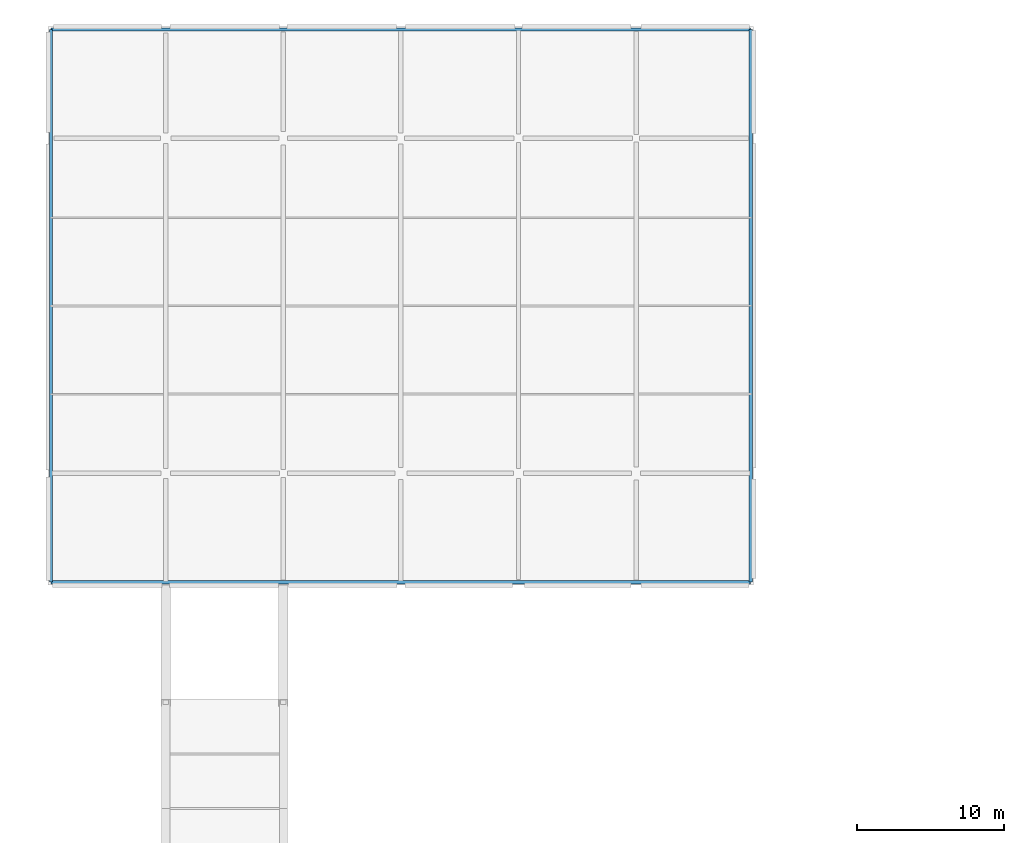
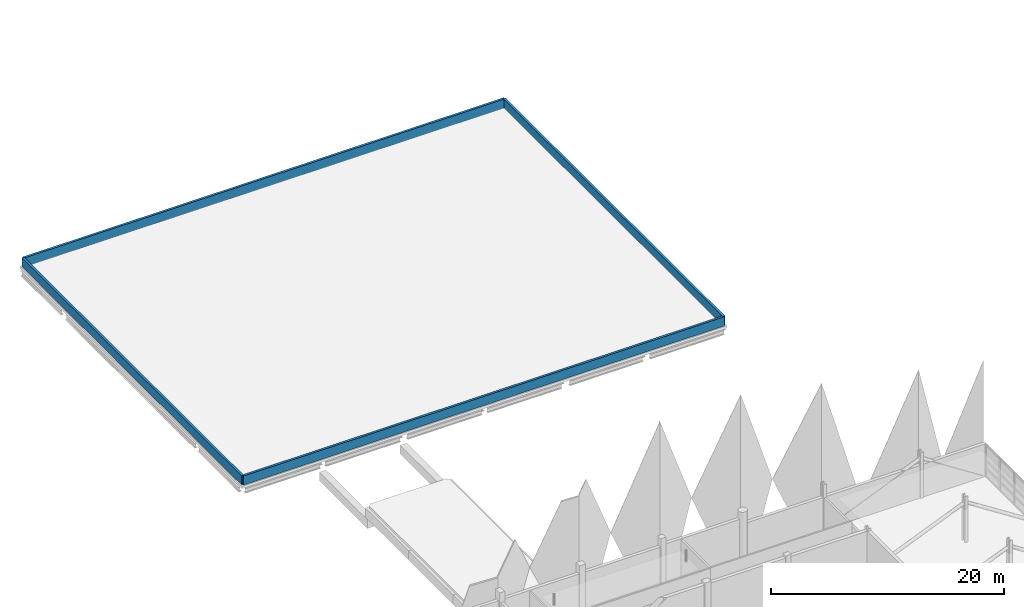
# One storey, part 72 of 107: 4 walls.
"""IFC4 building model written with IfcOpenShell, lengths in metres."""

from ifc_helpers import new_model, si_unit, direction, frame, frame_2d, origin, place, context, subcontext, project, spatial, rectangle, extrude, material, layer, layer_set, type_object, element, save


model = new_model("IFC4")

# Units and contexts
model_context = context("Model", 3, precision=1e-05, world=origin(), true_north=direction((0.0, 1.0)))
body_context = subcontext(model_context, "Body", "Model", "MODEL_VIEW")
ifc_project = project(units=[si_unit("LENGTHUNIT", "METRE"), si_unit("AREAUNIT", "SQUARE_METRE"), si_unit("VOLUMEUNIT", "CUBIC_METRE"), si_unit("PLANEANGLEUNIT", "RADIAN"), si_unit("MASSUNIT", "GRAM", prefix="KILO")], contexts=[model_context])

# Site, building, storey
site_placement = place(None, origin())
site = spatial("IfcSite", under=ifc_project, at=site_placement, CompositionType="ELEMENT")
building_placement = place(site_placement, origin())
building = spatial("IfcBuilding", under=site, at=building_placement, Name="Khelvaren Railside Concert Hall", CompositionType="ELEMENT")
storey_placement = place(building_placement, frame((0.0, 0.0, 15.0)))
storey = spatial("IfcBuildingStorey", under=building, at=storey_placement, Name="L03", CompositionType="ELEMENT", Elevation=15.0)

# Walls
ifc_material = material(Name="Precast architectural concrete C40/50", Category="concrete")
ifc_layer = layer(ifc_material, 0.219970703125)
ifc_layer_set = layer_set([ifc_layer], Name="Precast architectural concrete C40/50")
wall_type = type_object("IfcWallType", Name="PRP69", PredefinedType="PARAPET", material=ifc_layer_set)
for number, where, z_axis, x_axis, name in (
    (1, (0.199951171875, 76.199951171875, 0.0), (0.0, 0.0, 1.0), (1.0, 0.0, 0.0), "Roof Parapet Wall V4-L03-S"),
    (2, (47.800048828125, 113.800048828125, 0.0), (0.0, 0.0, 1.0), (-1.0, 0.0, 0.0), "Roof Parapet Wall V4-L03-N"),
):
    element("IfcWall", number, at=place(storey_placement, frame(where, z_axis=z_axis, x_axis=x_axis)), inside=storey, type_object=wall_type, Name=name, PredefinedType="PARAPET", context=body_context, shape_type="SweptSolid", body=[
        extrude(rectangle(XDim=47.60009765625, YDim=0.219970703125, at=frame_2d((23.800048828125, 0.0))), origin(), (0.0, 0.0, 1.0), 0.949951171875),
    ])
for number, where, z_axis, x_axis, name in (
    (3, (0.199951171875, 113.800048828125, 0.0), (0.0, 0.0, 1.0), (0.0, -1.0, 0.0), "Roof Parapet Wall V4-L03-W"),
    (4, (47.800048828125, 76.199951171875, 0.0), (0.0, 0.0, 1.0), (0.0, 1.0, 0.0), "Roof Parapet Wall V4-L03-E"),
):
    element("IfcWall", number, at=place(storey_placement, frame(where, z_axis=z_axis, x_axis=x_axis)), inside=storey, type_object=wall_type, Name=name, PredefinedType="PARAPET", context=body_context, shape_type="SweptSolid", body=[
        extrude(rectangle(XDim=37.60009765625, YDim=0.219970703125, at=frame_2d((18.800048828125, 0.0))), origin(), (0.0, 0.0, 1.0), 0.949951171875),
    ])

save(model, "model.ifc")
